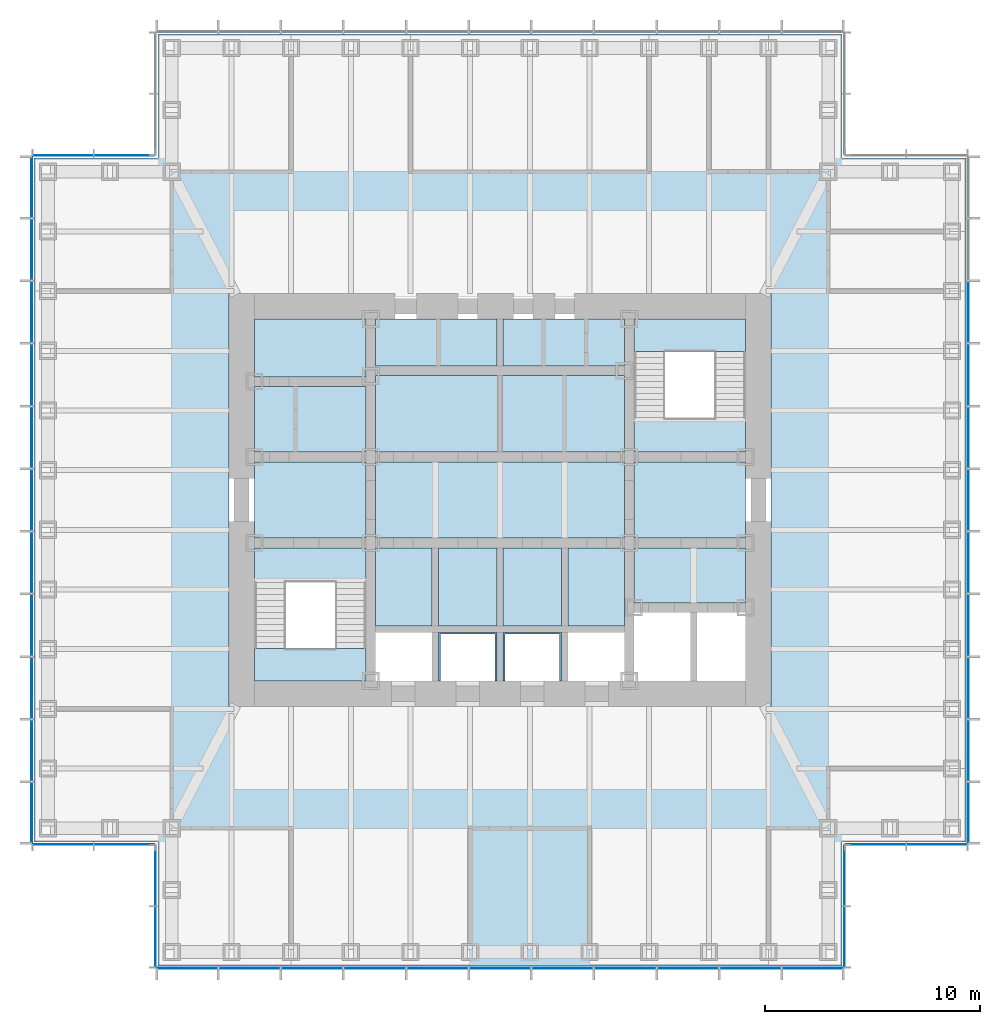
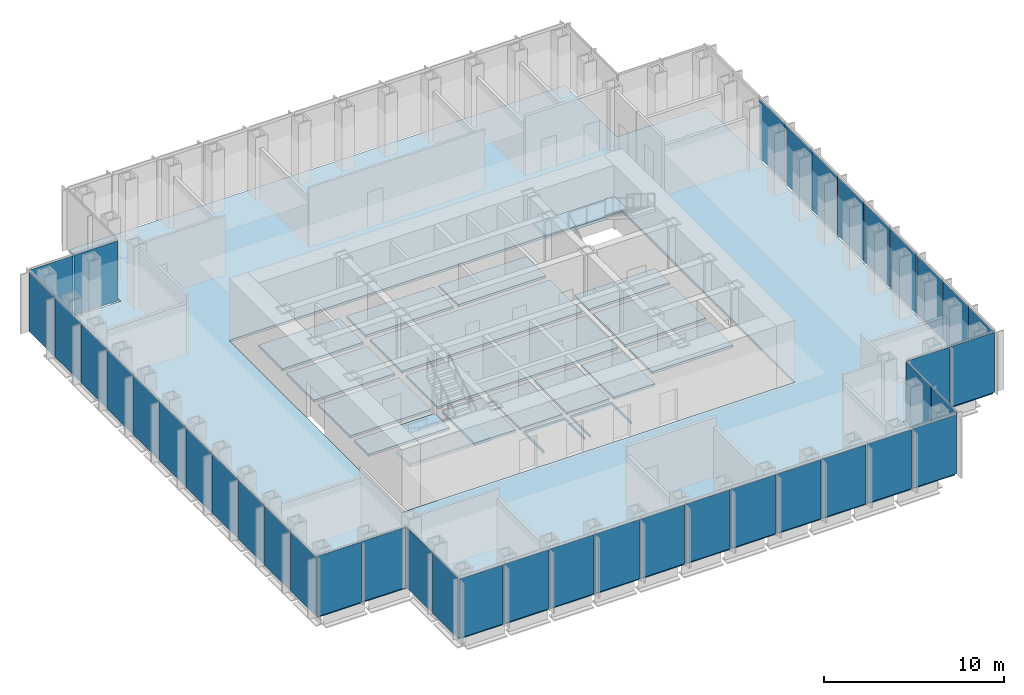
# One storey, part 7 of 16: 41 plates, 20 slabs, 10 elements without a shape of their own.
"""IFC4 building model written with IfcOpenShell, lengths in metres."""

import ifcopenshell
import ifcopenshell.guid

model = None  # the IFC model being written
_history = None  # IfcOwnerHistory: only IFC2X3 demands one
_inside = {}  # id of a spatial element -> (the spatial element, [elements in it])
_under = {}  # id of a project, library or spatial element -> (it, [spatial elements below it])
_declared = {}  # id of a project -> (the project, [libraries it declares])
_typed = {}  # id of a type object -> (the type object, [elements of that type])
_made_of = {}  # id of a material, layer set ... -> (it, [elements and type objects made of it])


def new_model(schema):
    """Start an empty IFC model of exactly this schema.

    Asked for "IFC4X3", IfcOpenShell would pick the latest addendum, in which some entities
    have other attributes; the version numbers below select the first issue.
    IFC2X3 requires an IfcOwnerHistory on every rooted entity: one is made here for all.
    """
    global model, _history
    if schema == "IFC4X3":
        model = ifcopenshell.file(schema_version=(4, 3, 0, 0))
    else:
        model = ifcopenshell.file(schema=schema)
    _inside.clear()
    _under.clear()
    _declared.clear()
    _typed.clear()
    _made_of.clear()
    _history = None
    if model.schema == "IFC2X3":
        org = make("IfcOrganization", Name="unknown")
        user = make(
            "IfcPersonAndOrganization",
            ThePerson=make("IfcPerson", FamilyName="unknown"),
            TheOrganization=org,
        )
        app = make(
            "IfcApplication",
            ApplicationDeveloper=org,
            Version="unknown",
            ApplicationFullName="unknown",
            ApplicationIdentifier="unknown",
        )
        _history = make(
            "IfcOwnerHistory",
            OwningUser=user,
            OwningApplication=app,
            ChangeAction="ADDED",
            CreationDate=0,
        )
    return model


def make(cls, **values):
    """One entity of the class cls with the attributes given. An attribute that is None is left unset."""
    return model.create_entity(
        cls, **{name: value for name, value in values.items() if value is not None}
    )


def rooted(cls, **values):
    """An entity with a GlobalId (a new one), such as an element, a storey or a relation."""
    return make(cls, GlobalId=ifcopenshell.guid.new(), OwnerHistory=_history, **values)


def si_unit(unit_type, name, prefix=None):
    """IfcSIUnit, for example si_unit("LENGTHUNIT", "METRE", prefix="MILLI")."""
    return make("IfcSIUnit", UnitType=unit_type, Prefix=prefix, Name=name)


def assignment(units):
    """IfcUnitAssignment: the units of a project."""
    return None if units is None else make("IfcUnitAssignment", Units=units)


def point(xyz):
    """IfcCartesianPoint."""
    return None if xyz is None else make("IfcCartesianPoint", Coordinates=xyz)


def direction(xyz):
    """IfcDirection."""
    return None if xyz is None else make("IfcDirection", DirectionRatios=xyz)


def frame(location, z_axis=None, x_axis=None):
    """IfcAxis2Placement3D, a coordinate frame: its origin and axes. An axis left out is left unset."""
    return make(
        "IfcAxis2Placement3D",
        Location=point(location),
        Axis=direction(z_axis),
        RefDirection=direction(x_axis),
    )


def frame_2d(location, x_axis=None):
    """IfcAxis2Placement2D, a coordinate frame in the plane: its origin and x axis."""
    return make(
        "IfcAxis2Placement2D", Location=point(location), RefDirection=direction(x_axis)
    )


def origin():
    """The frame at (0, 0, 0) with its axes left unset."""
    return frame((0.0, 0.0, 0.0))


def origin_2d():
    """The frame at (0, 0) in the plane with its x axis left unset."""
    return frame_2d((0.0, 0.0))


def place(relative_to, where):
    """IfcLocalPlacement: puts the frame where relative to a parent placement (None: the world)."""
    return make(
        "IfcLocalPlacement", PlacementRelTo=relative_to, RelativePlacement=where
    )


def context(
    kind, dimensions, precision=None, world=None, true_north=None, identifier=None
):
    """IfcGeometricRepresentationContext, for example the 3D "Model" context."""
    return make(
        "IfcGeometricRepresentationContext",
        ContextIdentifier=identifier,
        ContextType=kind,
        CoordinateSpaceDimension=dimensions,
        Precision=precision,
        WorldCoordinateSystem=world,
        TrueNorth=true_north,
    )


def subcontext(parent, identifier, kind, view, scale=None):
    """IfcGeometricRepresentationSubContext, for example "Body" below "Model"."""
    return make(
        "IfcGeometricRepresentationSubContext",
        ContextIdentifier=identifier,
        ContextType=kind,
        ParentContext=parent,
        TargetScale=scale,
        TargetView=view,
    )


def project(units=None, contexts=None):
    """IfcProject with its units and contexts."""
    return rooted(
        "IfcProject",
        Name="project",
        RepresentationContexts=contexts,
        UnitsInContext=assignment(units),
    )


def spatial(cls, under=None, at=None, **own):
    """A site, building, storey or space (cls), placed at a placement, below another one or the project."""
    s = rooted(cls, ObjectPlacement=at, **own)
    if under is not None:
        _under.setdefault(under.id(), (under, []))[1].append(s)
    return s


def polyline(points):
    """IfcPolyline through the points."""
    return make("IfcPolyline", Points=[point(p) for p in points])


def profile(cls, at=None, kind="AREA", **sizes):
    """A parametric profile (cls). Its sizes go by their IFC names, for example OverallWidth=200.0."""
    return make(cls, ProfileType=kind, Position=at, **sizes)


def rectangle(**sizes):
    """IfcRectangleProfileDef."""
    return profile("IfcRectangleProfileDef", **sizes)


def outline(outer, holes=None, kind="AREA"):
    """IfcArbitraryClosedProfileDef: a profile drawn as a closed curve; with holes, ...WithVoids."""
    if holes is None:
        return make("IfcArbitraryClosedProfileDef", ProfileType=kind, OuterCurve=outer)
    return make(
        "IfcArbitraryProfileDefWithVoids",
        ProfileType=kind,
        OuterCurve=outer,
        InnerCurves=holes,
    )


def extrude(swept, where, along, depth):
    """IfcExtrudedAreaSolid: the profile swept, set in the frame where, extruded along a direction by depth."""
    return make(
        "IfcExtrudedAreaSolid",
        SweptArea=swept,
        Position=where,
        ExtrudedDirection=direction(along),
        Depth=depth,
    )


def shape(context_of_items, identifier, shape_type, items):
    """IfcShapeRepresentation: the items that make up one representation, for example the "Body"."""
    return make(
        "IfcShapeRepresentation",
        ContextOfItems=context_of_items,
        RepresentationIdentifier=identifier,
        RepresentationType=shape_type,
        Items=items,
    )


def material(Name=None, Category=None):
    """IfcMaterial."""
    return make("IfcMaterial", Name=Name, Category=Category)


def layer(
    of_material, thickness, ventilated=None, Name=None, Category=None, Priority=None
):
    """IfcMaterialLayer: one layer of a wall or slab, of a material (None: an air gap)."""
    return make(
        "IfcMaterialLayer",
        Material=of_material,
        LayerThickness=thickness,
        IsVentilated=ventilated,
        Name=Name,
        Category=Category,
        Priority=Priority,
    )


def layer_set(layers, Name=None):
    """IfcMaterialLayerSet."""
    return make("IfcMaterialLayerSet", MaterialLayers=layers, LayerSetName=Name)


def made_of(thing, what):
    """Note that an element or type object is made of a material, layer set ...; save() writes the relation."""
    if what is not None:
        _made_of.setdefault(what.id(), (what, []))[1].append(thing)
    return thing


def type_object(cls, material=None, **own):
    """A type object (cls), such as IfcWallType, which elements share."""
    return made_of(rooted(cls, **own), material)


def element(
    cls,
    number,
    at=None,
    inside=None,
    cuts=None,
    type_object=None,
    material=None,
    context=None,
    identifier="Body",
    shape_type=None,
    held_by="IfcProductDefinitionShape",
    body=None,
    shapes=None,
    **own,
):
    """One element of the class cls, such as IfcWall. Its Tag is "e" and its number.

    at: its placement. inside: the storey or other place that contains it. cuts: it is an
    opening in that element (IfcRelVoidsElement). A single representation is given by context,
    identifier, shape_type and body (its items); several are given by shapes. held_by: the class
    of the entity that holds the representations. save() writes the other relations.
    """
    e = rooted(cls, Tag="e%d" % number, ObjectPlacement=at, **own)
    if body is not None:
        shapes = [shape(context, identifier, shape_type, body)]
    if shapes is not None:
        e.Representation = make(held_by, Representations=shapes)
    if inside is not None:
        _inside.setdefault(inside.id(), (inside, []))[1].append(e)
    if cuts is not None:
        rooted(
            "IfcRelVoidsElement", RelatingBuildingElement=cuts, RelatedOpeningElement=e
        )
    if type_object is not None:
        _typed.setdefault(type_object.id(), (type_object, []))[1].append(e)
    return made_of(e, material)


def aggregate(whole, parts):
    """IfcRelAggregates: a whole, such as a stair, and the parts it consists of."""
    return rooted("IfcRelAggregates", RelatingObject=whole, RelatedObjects=parts)


def save(model, path):
    """Write the relations noted so far, then the file.

    IfcRelAggregates (storeys below a building ...), IfcRelContainedInSpatialStructure (elements
    in a storey), IfcRelDefinesByType, IfcRelAssociatesMaterial and IfcRelDeclares: one each for
    every whole, place, type object, material and project.
    """
    for whole, parts in _under.values():
        aggregate(whole, parts)
    for where, things in _inside.values():
        rooted(
            "IfcRelContainedInSpatialStructure",
            RelatedElements=things,
            RelatingStructure=where,
        )
    for kind, things in _typed.values():
        rooted("IfcRelDefinesByType", RelatedObjects=things, RelatingType=kind)
    for what, things in _made_of.values():
        rooted("IfcRelAssociatesMaterial", RelatedObjects=things, RelatingMaterial=what)
    for by, libraries in _declared.values():
        rooted("IfcRelDeclares", RelatingContext=by, RelatedDefinitions=libraries)
    model.write(path)


model = new_model("IFC4")

# Units and contexts
model_context = context("Model", 3, precision=1e-05, world=origin(), true_north=direction((0.0, 1.0)))
body_context = subcontext(model_context, "Body", "Model", "MODEL_VIEW")
ifc_project = project(units=[si_unit("LENGTHUNIT", "METRE"), si_unit("AREAUNIT", "SQUARE_METRE"), si_unit("VOLUMEUNIT", "CUBIC_METRE"), si_unit("PLANEANGLEUNIT", "RADIAN"), si_unit("MASSUNIT", "GRAM", prefix="KILO")], contexts=[model_context])

# Site, building, storey
site_placement = place(None, origin())
site = spatial("IfcSite", under=ifc_project, at=site_placement, CompositionType="ELEMENT")
building_placement = place(site_placement, origin())
building = spatial("IfcBuilding", under=site, at=building_placement, Name="Daluyong Arena Tower", CompositionType="ELEMENT")
storey_placement = place(building_placement, frame((0.0, 0.0, 254.5)))
storey = spatial("IfcBuildingStorey", under=building, at=storey_placement, Name="L57", CompositionType="ELEMENT", Elevation=254.5)

# Curtain wall, plates
ifc_material_1 = material(Name="Bronze anodised aluminium and glass", Category="aluminium")
curtain_wall_type_1 = type_object("IfcCurtainWallType", Name="Curtain wall CW4", PredefinedType="USERDEFINED", material=ifc_material_1)
curtain_wall_1_placement = place(storey_placement, origin())
curtain_wall_1 = element("IfcCurtainWall", 1, at=curtain_wall_1_placement, inside=storey, type_object=curtain_wall_type_1, Name="curtain wall L57 S", ObjectType="UNITISED CURTAIN WALL", PredefinedType="USERDEFINED")
ifc_material_2 = material(Name="Tinted laminated double glazed unit", Category="glass")
ifc_layer_1 = layer(ifc_material_2, 0.035888671875)
ifc_layer_set_1 = layer_set([ifc_layer_1], Name="Tinted laminated double glazed unit")
plate_type_1 = type_object("IfcPlateType", Name="CW4 panel 36", PredefinedType="CURTAIN_PANEL", material=ifc_layer_set_1)
plate_1_placement = place(storey_placement, frame((41.47705078125, 58.25, 0.0), z_axis=(0.0, 0.0, 1.0), x_axis=(1.0, 0.0, 0.0)))
plate_1 = element("IfcPlate", 2, at=plate_1_placement, type_object=plate_type_1, Name="curtain wall L57 S panel 1", PredefinedType="CURTAIN_PANEL", context=body_context, shape_type="SweptSolid", body=[
    extrude(rectangle(XDim=2.774169921875, YDim=0.035888671875, at=origin_2d()), origin(), (0.0, 0.0, 1.0), 4.0),
])
plate_2_placement = place(storey_placement, frame((44.363525390625, 58.25, 0.0), z_axis=(0.0, 0.0, 1.0), x_axis=(1.0, 0.0, 0.0)))
plate_2 = element("IfcPlate", 3, at=plate_2_placement, type_object=plate_type_1, Name="curtain wall L57 S panel 2", PredefinedType="CURTAIN_PANEL", context=body_context, shape_type="SweptSolid", body=[
    extrude(rectangle(XDim=2.819091796875, YDim=0.035888671875, at=origin_2d()), origin(), (0.0, 0.0, 1.0), 4.0),
])
plate_3_placement = place(storey_placement, frame((47.272705078125, 58.25, 0.0), z_axis=(0.0, 0.0, 1.0), x_axis=(1.0, 0.0, 0.0)))
plate_3 = element("IfcPlate", 4, at=plate_3_placement, type_object=plate_type_1, Name="curtain wall L57 S panel 3", PredefinedType="CURTAIN_PANEL", context=body_context, shape_type="SweptSolid", body=[
    extrude(rectangle(XDim=2.819091796875, YDim=0.035888671875, at=origin_2d()), origin(), (0.0, 0.0, 1.0), 4.0),
])
plate_4_placement = place(storey_placement, frame((50.181884765625, 58.25, 0.0), z_axis=(0.0, 0.0, 1.0), x_axis=(1.0, 0.0, 0.0)))
plate_4 = element("IfcPlate", 5, at=plate_4_placement, type_object=plate_type_1, Name="curtain wall L57 S panel 4", PredefinedType="CURTAIN_PANEL", context=body_context, shape_type="SweptSolid", body=[
    extrude(rectangle(XDim=2.819091796875, YDim=0.035888671875, at=origin_2d()), origin(), (0.0, 0.0, 1.0), 4.0),
])
plate_5_placement = place(storey_placement, frame((53.0908203125, 58.25, 0.0), z_axis=(0.0, 0.0, 1.0), x_axis=(1.0, 0.0, 0.0)))
plate_5 = element("IfcPlate", 6, at=plate_5_placement, type_object=plate_type_1, Name="curtain wall L57 S panel 5", PredefinedType="CURTAIN_PANEL", context=body_context, shape_type="SweptSolid", body=[
    extrude(rectangle(XDim=2.819091796875, YDim=0.035888671875, at=origin_2d()), origin(), (0.0, 0.0, 1.0), 4.0),
])
plate_6_placement = place(storey_placement, frame((56.0, 58.25, 0.0), z_axis=(0.0, 0.0, 1.0), x_axis=(1.0, 0.0, 0.0)))
plate_6 = element("IfcPlate", 7, at=plate_6_placement, type_object=plate_type_1, Name="curtain wall L57 S panel 6", PredefinedType="CURTAIN_PANEL", context=body_context, shape_type="SweptSolid", body=[
    extrude(rectangle(XDim=2.819091796875, YDim=0.035888671875, at=origin_2d()), origin(), (0.0, 0.0, 1.0), 4.0),
])
plate_7_placement = place(storey_placement, frame((58.9091796875, 58.25, 0.0), z_axis=(0.0, 0.0, 1.0), x_axis=(1.0, 0.0, 0.0)))
plate_7 = element("IfcPlate", 8, at=plate_7_placement, type_object=plate_type_1, Name="curtain wall L57 S panel 7", PredefinedType="CURTAIN_PANEL", context=body_context, shape_type="SweptSolid", body=[
    extrude(rectangle(XDim=2.819091796875, YDim=0.035888671875, at=origin_2d()), origin(), (0.0, 0.0, 1.0), 4.0),
])
plate_8_placement = place(storey_placement, frame((61.818115234375, 58.25, 0.0), z_axis=(0.0, 0.0, 1.0), x_axis=(1.0, 0.0, 0.0)))
plate_8 = element("IfcPlate", 9, at=plate_8_placement, type_object=plate_type_1, Name="curtain wall L57 S panel 8", PredefinedType="CURTAIN_PANEL", context=body_context, shape_type="SweptSolid", body=[
    extrude(rectangle(XDim=2.819091796875, YDim=0.035888671875, at=origin_2d()), origin(), (0.0, 0.0, 1.0), 4.0),
])
plate_9_placement = place(storey_placement, frame((64.727294921875, 58.25, 0.0), z_axis=(0.0, 0.0, 1.0), x_axis=(1.0, 0.0, 0.0)))
plate_9 = element("IfcPlate", 10, at=plate_9_placement, type_object=plate_type_1, Name="curtain wall L57 S panel 9", PredefinedType="CURTAIN_PANEL", context=body_context, shape_type="SweptSolid", body=[
    extrude(rectangle(XDim=2.819091796875, YDim=0.035888671875, at=origin_2d()), origin(), (0.0, 0.0, 1.0), 4.0),
])
plate_10_placement = place(storey_placement, frame((67.636474609375, 58.25, 0.0), z_axis=(0.0, 0.0, 1.0), x_axis=(1.0, 0.0, 0.0)))
plate_10 = element("IfcPlate", 11, at=plate_10_placement, type_object=plate_type_1, Name="curtain wall L57 S panel 10", PredefinedType="CURTAIN_PANEL", context=body_context, shape_type="SweptSolid", body=[
    extrude(rectangle(XDim=2.819091796875, YDim=0.035888671875, at=origin_2d()), origin(), (0.0, 0.0, 1.0), 4.0),
])
plate_11_placement = place(storey_placement, frame((70.52294921875, 58.25, 0.0), z_axis=(0.0, 0.0, 1.0), x_axis=(1.0, 0.0, 0.0)))
plate_11 = element("IfcPlate", 12, at=plate_11_placement, type_object=plate_type_1, Name="curtain wall L57 S panel 11", PredefinedType="CURTAIN_PANEL", context=body_context, shape_type="SweptSolid", body=[
    extrude(rectangle(XDim=2.774169921875, YDim=0.035888671875, at=origin_2d()), origin(), (0.0, 0.0, 1.0), 4.0),
])
aggregate(curtain_wall_1, [plate_1, plate_2, plate_3, plate_4, plate_5, plate_6, plate_7, plate_8, plate_9, plate_10, plate_11])

curtain_wall_2_placement = place(storey_placement, origin())
curtain_wall_2 = element("IfcCurtainWall", 13, at=curtain_wall_2_placement, inside=storey, type_object=curtain_wall_type_1, Name="curtain wall L57 E", ObjectType="UNITISED CURTAIN WALL", PredefinedType="USERDEFINED")
plate_12_placement = place(storey_placement, frame((77.75, 65.47705078125, 0.0), z_axis=(0.0, 0.0, 1.0), x_axis=(0.0, 1.0, 0.0)))
plate_12 = element("IfcPlate", 14, at=plate_12_placement, type_object=plate_type_1, Name="curtain wall L57 E panel 1", PredefinedType="CURTAIN_PANEL", context=body_context, shape_type="SweptSolid", body=[
    extrude(rectangle(XDim=2.774169921875, YDim=0.035888671875, at=origin_2d()), origin(), (0.0, 0.0, 1.0), 4.0),
])
plate_13_placement = place(storey_placement, frame((77.75, 68.363525390625, 0.0), z_axis=(0.0, 0.0, 1.0), x_axis=(0.0, 1.0, 0.0)))
plate_13 = element("IfcPlate", 15, at=plate_13_placement, type_object=plate_type_1, Name="curtain wall L57 E panel 2", PredefinedType="CURTAIN_PANEL", context=body_context, shape_type="SweptSolid", body=[
    extrude(rectangle(XDim=2.819091796875, YDim=0.035888671875, at=origin_2d()), origin(), (0.0, 0.0, 1.0), 4.0),
])
plate_14_placement = place(storey_placement, frame((77.75, 71.272705078125, 0.0), z_axis=(0.0, 0.0, 1.0), x_axis=(0.0, 1.0, 0.0)))
plate_14 = element("IfcPlate", 16, at=plate_14_placement, type_object=plate_type_1, Name="curtain wall L57 E panel 3", PredefinedType="CURTAIN_PANEL", context=body_context, shape_type="SweptSolid", body=[
    extrude(rectangle(XDim=2.819091796875, YDim=0.035888671875, at=origin_2d()), origin(), (0.0, 0.0, 1.0), 4.0),
])
plate_15_placement = place(storey_placement, frame((77.75, 74.181884765625, 0.0), z_axis=(0.0, 0.0, 1.0), x_axis=(0.0, 1.0, 0.0)))
plate_15 = element("IfcPlate", 17, at=plate_15_placement, type_object=plate_type_1, Name="curtain wall L57 E panel 4", PredefinedType="CURTAIN_PANEL", context=body_context, shape_type="SweptSolid", body=[
    extrude(rectangle(XDim=2.819091796875, YDim=0.035888671875, at=origin_2d()), origin(), (0.0, 0.0, 1.0), 4.0),
])
plate_16_placement = place(storey_placement, frame((77.75, 77.0908203125, 0.0), z_axis=(0.0, 0.0, 1.0), x_axis=(0.0, 1.0, 0.0)))
plate_16 = element("IfcPlate", 18, at=plate_16_placement, type_object=plate_type_1, Name="curtain wall L57 E panel 5", PredefinedType="CURTAIN_PANEL", context=body_context, shape_type="SweptSolid", body=[
    extrude(rectangle(XDim=2.819091796875, YDim=0.035888671875, at=origin_2d()), origin(), (0.0, 0.0, 1.0), 4.0),
])
plate_17_placement = place(storey_placement, frame((77.75, 80.0, 0.0), z_axis=(0.0, 0.0, 1.0), x_axis=(0.0, 1.0, 0.0)))
plate_17 = element("IfcPlate", 19, at=plate_17_placement, type_object=plate_type_1, Name="curtain wall L57 E panel 6", PredefinedType="CURTAIN_PANEL", context=body_context, shape_type="SweptSolid", body=[
    extrude(rectangle(XDim=2.819091796875, YDim=0.035888671875, at=origin_2d()), origin(), (0.0, 0.0, 1.0), 4.0),
])
plate_18_placement = place(storey_placement, frame((77.75, 82.9091796875, 0.0), z_axis=(0.0, 0.0, 1.0), x_axis=(0.0, 1.0, 0.0)))
plate_18 = element("IfcPlate", 20, at=plate_18_placement, type_object=plate_type_1, Name="curtain wall L57 E panel 7", PredefinedType="CURTAIN_PANEL", context=body_context, shape_type="SweptSolid", body=[
    extrude(rectangle(XDim=2.819091796875, YDim=0.035888671875, at=origin_2d()), origin(), (0.0, 0.0, 1.0), 4.0),
])
plate_19_placement = place(storey_placement, frame((77.75, 85.818115234375, 0.0), z_axis=(0.0, 0.0, 1.0), x_axis=(0.0, 1.0, 0.0)))
plate_19 = element("IfcPlate", 21, at=plate_19_placement, type_object=plate_type_1, Name="curtain wall L57 E panel 8", PredefinedType="CURTAIN_PANEL", context=body_context, shape_type="SweptSolid", body=[
    extrude(rectangle(XDim=2.819091796875, YDim=0.035888671875, at=origin_2d()), origin(), (0.0, 0.0, 1.0), 4.0),
])
plate_20_placement = place(storey_placement, frame((77.75, 88.727294921875, 0.0), z_axis=(0.0, 0.0, 1.0), x_axis=(0.0, 1.0, 0.0)))
plate_20 = element("IfcPlate", 22, at=plate_20_placement, type_object=plate_type_1, Name="curtain wall L57 E panel 9", PredefinedType="CURTAIN_PANEL", context=body_context, shape_type="SweptSolid", body=[
    extrude(rectangle(XDim=2.819091796875, YDim=0.035888671875, at=origin_2d()), origin(), (0.0, 0.0, 1.0), 4.0),
])
aggregate(curtain_wall_2, [plate_12, plate_13, plate_14, plate_15, plate_16, plate_17, plate_18, plate_19, plate_20])

curtain_wall_3_placement = place(storey_placement, origin())
curtain_wall_3 = element("IfcCurtainWall", 23, at=curtain_wall_3_placement, inside=storey, type_object=curtain_wall_type_1, Name="curtain wall L57 W", ObjectType="UNITISED CURTAIN WALL", PredefinedType="USERDEFINED")
plate_21_placement = place(storey_placement, frame((34.25, 94.52294921875, 0.0), z_axis=(0.0, 0.0, 1.0), x_axis=(0.0, -1.0, 0.0)))
plate_21 = element("IfcPlate", 24, at=plate_21_placement, type_object=plate_type_1, Name="curtain wall L57 W panel 1", PredefinedType="CURTAIN_PANEL", context=body_context, shape_type="SweptSolid", body=[
    extrude(rectangle(XDim=2.774169921875, YDim=0.035888671875, at=origin_2d()), origin(), (0.0, 0.0, 1.0), 4.0),
])
plate_22_placement = place(storey_placement, frame((34.25, 91.636474609375, 0.0), z_axis=(0.0, 0.0, 1.0), x_axis=(0.0, -1.0, 0.0)))
plate_22 = element("IfcPlate", 25, at=plate_22_placement, type_object=plate_type_1, Name="curtain wall L57 W panel 2", PredefinedType="CURTAIN_PANEL", context=body_context, shape_type="SweptSolid", body=[
    extrude(rectangle(XDim=2.819091796875, YDim=0.035888671875, at=origin_2d()), origin(), (0.0, 0.0, 1.0), 4.0),
])
plate_23_placement = place(storey_placement, frame((34.25, 88.727294921875, 0.0), z_axis=(0.0, 0.0, 1.0), x_axis=(0.0, -1.0, 0.0)))
plate_23 = element("IfcPlate", 26, at=plate_23_placement, type_object=plate_type_1, Name="curtain wall L57 W panel 3", PredefinedType="CURTAIN_PANEL", context=body_context, shape_type="SweptSolid", body=[
    extrude(rectangle(XDim=2.819091796875, YDim=0.035888671875, at=origin_2d()), origin(), (0.0, 0.0, 1.0), 4.0),
])
plate_24_placement = place(storey_placement, frame((34.25, 85.818115234375, 0.0), z_axis=(0.0, 0.0, 1.0), x_axis=(0.0, -1.0, 0.0)))
plate_24 = element("IfcPlate", 27, at=plate_24_placement, type_object=plate_type_1, Name="curtain wall L57 W panel 4", PredefinedType="CURTAIN_PANEL", context=body_context, shape_type="SweptSolid", body=[
    extrude(rectangle(XDim=2.819091796875, YDim=0.035888671875, at=origin_2d()), origin(), (0.0, 0.0, 1.0), 4.0),
])
plate_25_placement = place(storey_placement, frame((34.25, 82.9091796875, 0.0), z_axis=(0.0, 0.0, 1.0), x_axis=(0.0, -1.0, 0.0)))
plate_25 = element("IfcPlate", 28, at=plate_25_placement, type_object=plate_type_1, Name="curtain wall L57 W panel 5", PredefinedType="CURTAIN_PANEL", context=body_context, shape_type="SweptSolid", body=[
    extrude(rectangle(XDim=2.819091796875, YDim=0.035888671875, at=origin_2d()), origin(), (0.0, 0.0, 1.0), 4.0),
])
plate_26_placement = place(storey_placement, frame((34.25, 80.0, 0.0), z_axis=(0.0, 0.0, 1.0), x_axis=(0.0, -1.0, 0.0)))
plate_26 = element("IfcPlate", 29, at=plate_26_placement, type_object=plate_type_1, Name="curtain wall L57 W panel 6", PredefinedType="CURTAIN_PANEL", context=body_context, shape_type="SweptSolid", body=[
    extrude(rectangle(XDim=2.819091796875, YDim=0.035888671875, at=origin_2d()), origin(), (0.0, 0.0, 1.0), 4.0),
])
plate_27_placement = place(storey_placement, frame((34.25, 77.0908203125, 0.0), z_axis=(0.0, 0.0, 1.0), x_axis=(0.0, -1.0, 0.0)))
plate_27 = element("IfcPlate", 30, at=plate_27_placement, type_object=plate_type_1, Name="curtain wall L57 W panel 7", PredefinedType="CURTAIN_PANEL", context=body_context, shape_type="SweptSolid", body=[
    extrude(rectangle(XDim=2.819091796875, YDim=0.035888671875, at=origin_2d()), origin(), (0.0, 0.0, 1.0), 4.0),
])
plate_28_placement = place(storey_placement, frame((34.25, 74.181884765625, 0.0), z_axis=(0.0, 0.0, 1.0), x_axis=(0.0, -1.0, 0.0)))
plate_28 = element("IfcPlate", 31, at=plate_28_placement, type_object=plate_type_1, Name="curtain wall L57 W panel 8", PredefinedType="CURTAIN_PANEL", context=body_context, shape_type="SweptSolid", body=[
    extrude(rectangle(XDim=2.819091796875, YDim=0.035888671875, at=origin_2d()), origin(), (0.0, 0.0, 1.0), 4.0),
])
plate_29_placement = place(storey_placement, frame((34.25, 71.272705078125, 0.0), z_axis=(0.0, 0.0, 1.0), x_axis=(0.0, -1.0, 0.0)))
plate_29 = element("IfcPlate", 32, at=plate_29_placement, type_object=plate_type_1, Name="curtain wall L57 W panel 9", PredefinedType="CURTAIN_PANEL", context=body_context, shape_type="SweptSolid", body=[
    extrude(rectangle(XDim=2.819091796875, YDim=0.035888671875, at=origin_2d()), origin(), (0.0, 0.0, 1.0), 4.0),
])
plate_30_placement = place(storey_placement, frame((34.25, 68.363525390625, 0.0), z_axis=(0.0, 0.0, 1.0), x_axis=(0.0, -1.0, 0.0)))
plate_30 = element("IfcPlate", 33, at=plate_30_placement, type_object=plate_type_1, Name="curtain wall L57 W panel 10", PredefinedType="CURTAIN_PANEL", context=body_context, shape_type="SweptSolid", body=[
    extrude(rectangle(XDim=2.819091796875, YDim=0.035888671875, at=origin_2d()), origin(), (0.0, 0.0, 1.0), 4.0),
])
plate_31_placement = place(storey_placement, frame((34.25, 65.47705078125, 0.0), z_axis=(0.0, 0.0, 1.0), x_axis=(0.0, -1.0, 0.0)))
plate_31 = element("IfcPlate", 34, at=plate_31_placement, type_object=plate_type_1, Name="curtain wall L57 W panel 11", PredefinedType="CURTAIN_PANEL", context=body_context, shape_type="SweptSolid", body=[
    extrude(rectangle(XDim=2.774169921875, YDim=0.035888671875, at=origin_2d()), origin(), (0.0, 0.0, 1.0), 4.0),
])
aggregate(curtain_wall_3, [plate_21, plate_22, plate_23, plate_24, plate_25, plate_26, plate_27, plate_28, plate_29, plate_30, plate_31])

ifc_material_3 = material(Name="Bronze anodised aluminium and glass", Category="aluminium")
curtain_wall_type_2 = type_object("IfcCurtainWallType", Name="Curtain wall CW7", PredefinedType="USERDEFINED", material=ifc_material_3)
curtain_wall_4_placement = place(storey_placement, origin())
curtain_wall_4 = element("IfcCurtainWall", 35, at=curtain_wall_4_placement, inside=storey, type_object=curtain_wall_type_2, Name="curtain wall L57 SE-E", ObjectType="UNITISED CURTAIN WALL", PredefinedType="USERDEFINED")
ifc_material_4 = material(Name="Tinted double glazed unit", Category="glass")
ifc_layer_2 = layer(ifc_material_4, 0.028076171875)
ifc_layer_set_2 = layer_set([ifc_layer_2], Name="Tinted double glazed unit")
plate_type_2 = type_object("IfcPlateType", Name="CW7 panel 28", PredefinedType="CURTAIN_PANEL", material=ifc_layer_set_2)
plate_32_placement = place(storey_placement, frame((72.0, 59.702392578125, 0.0), z_axis=(0.0, 0.0, 1.0), x_axis=(0.0, 1.0, 0.0)))
plate_32 = element("IfcPlate", 36, at=plate_32_placement, type_object=plate_type_2, Name="curtain wall L57 SE-E panel 1", PredefinedType="CURTAIN_PANEL", context=body_context, shape_type="SweptSolid", body=[
    extrude(rectangle(XDim=2.784912109375, YDim=0.028076171875, at=origin_2d()), origin(), (0.0, 0.0, 1.0), 4.080078125),
])
plate_33_placement = place(storey_placement, frame((72.0, 62.547607421875, 0.0), z_axis=(0.0, 0.0, 1.0), x_axis=(0.0, 1.0, 0.0)))
plate_33 = element("IfcPlate", 37, at=plate_33_placement, type_object=plate_type_2, Name="curtain wall L57 SE-E panel 2", PredefinedType="CURTAIN_PANEL", context=body_context, shape_type="SweptSolid", body=[
    extrude(rectangle(XDim=2.784912109375, YDim=0.028076171875, at=origin_2d()), origin(), (0.0, 0.0, 1.0), 4.080078125),
])
aggregate(curtain_wall_4, [plate_32, plate_33])

curtain_wall_5_placement = place(storey_placement, origin())
curtain_wall_5 = element("IfcCurtainWall", 38, at=curtain_wall_5_placement, inside=storey, type_object=curtain_wall_type_2, Name="curtain wall L57 SE-S", ObjectType="UNITISED CURTAIN WALL", PredefinedType="USERDEFINED")
plate_34_placement = place(storey_placement, frame((73.452392578125, 64.0, 0.0), z_axis=(0.0, 0.0, 1.0), x_axis=(1.0, 0.0, 0.0)))
plate_34 = element("IfcPlate", 39, at=plate_34_placement, type_object=plate_type_2, Name="curtain wall L57 SE-S panel 1", PredefinedType="CURTAIN_PANEL", context=body_context, shape_type="SweptSolid", body=[
    extrude(rectangle(XDim=2.784912109375, YDim=0.028076171875, at=origin_2d()), origin(), (0.0, 0.0, 1.0), 4.080078125),
])
plate_35_placement = place(storey_placement, frame((76.297607421875, 64.0, 0.0), z_axis=(0.0, 0.0, 1.0), x_axis=(1.0, 0.0, 0.0)))
plate_35 = element("IfcPlate", 40, at=plate_35_placement, type_object=plate_type_2, Name="curtain wall L57 SE-S panel 2", PredefinedType="CURTAIN_PANEL", context=body_context, shape_type="SweptSolid", body=[
    extrude(rectangle(XDim=2.784912109375, YDim=0.028076171875, at=origin_2d()), origin(), (0.0, 0.0, 1.0), 4.080078125),
])
aggregate(curtain_wall_5, [plate_34, plate_35])

curtain_wall_6_placement = place(storey_placement, origin())
curtain_wall_6 = element("IfcCurtainWall", 41, at=curtain_wall_6_placement, inside=storey, type_object=curtain_wall_type_2, Name="curtain wall L57 NW-N", ObjectType="UNITISED CURTAIN WALL", PredefinedType="USERDEFINED")
plate_36_placement = place(storey_placement, frame((38.547607421875, 96.0, 0.0), z_axis=(0.0, 0.0, 1.0), x_axis=(-1.0, 0.0, 0.0)))
plate_36 = element("IfcPlate", 42, at=plate_36_placement, type_object=plate_type_2, Name="curtain wall L57 NW-N panel 1", PredefinedType="CURTAIN_PANEL", context=body_context, shape_type="SweptSolid", body=[
    extrude(rectangle(XDim=2.784912109375, YDim=0.028076171875, at=origin_2d()), origin(), (0.0, 0.0, 1.0), 4.080078125),
])
plate_37_placement = place(storey_placement, frame((35.702392578125, 96.0, 0.0), z_axis=(0.0, 0.0, 1.0), x_axis=(-1.0, 0.0, 0.0)))
plate_37 = element("IfcPlate", 43, at=plate_37_placement, type_object=plate_type_2, Name="curtain wall L57 NW-N panel 2", PredefinedType="CURTAIN_PANEL", context=body_context, shape_type="SweptSolid", body=[
    extrude(rectangle(XDim=2.784912109375, YDim=0.028076171875, at=origin_2d()), origin(), (0.0, 0.0, 1.0), 4.080078125),
])
aggregate(curtain_wall_6, [plate_36, plate_37])

curtain_wall_7_placement = place(storey_placement, origin())
curtain_wall_7 = element("IfcCurtainWall", 44, at=curtain_wall_7_placement, inside=storey, type_object=curtain_wall_type_2, Name="curtain wall L57 SW-S", ObjectType="UNITISED CURTAIN WALL", PredefinedType="USERDEFINED")
plate_38_placement = place(storey_placement, frame((35.702392578125, 64.0, 0.0), z_axis=(0.0, 0.0, 1.0), x_axis=(1.0, 0.0, 0.0)))
plate_38 = element("IfcPlate", 45, at=plate_38_placement, type_object=plate_type_2, Name="curtain wall L57 SW-S panel 1", PredefinedType="CURTAIN_PANEL", context=body_context, shape_type="SweptSolid", body=[
    extrude(rectangle(XDim=2.784912109375, YDim=0.028076171875, at=origin_2d()), origin(), (0.0, 0.0, 1.0), 4.080078125),
])
plate_39_placement = place(storey_placement, frame((38.547607421875, 64.0, 0.0), z_axis=(0.0, 0.0, 1.0), x_axis=(1.0, 0.0, 0.0)))
plate_39 = element("IfcPlate", 46, at=plate_39_placement, type_object=plate_type_2, Name="curtain wall L57 SW-S panel 2", PredefinedType="CURTAIN_PANEL", context=body_context, shape_type="SweptSolid", body=[
    extrude(rectangle(XDim=2.784912109375, YDim=0.028076171875, at=origin_2d()), origin(), (0.0, 0.0, 1.0), 4.080078125),
])
aggregate(curtain_wall_7, [plate_38, plate_39])

curtain_wall_8_placement = place(storey_placement, origin())
curtain_wall_8 = element("IfcCurtainWall", 47, at=curtain_wall_8_placement, inside=storey, type_object=curtain_wall_type_2, Name="curtain wall L57 SW-W", ObjectType="UNITISED CURTAIN WALL", PredefinedType="USERDEFINED")
plate_40_placement = place(storey_placement, frame((40.0, 62.547607421875, 0.0), z_axis=(0.0, 0.0, 1.0), x_axis=(0.0, -1.0, 0.0)))
plate_40 = element("IfcPlate", 48, at=plate_40_placement, type_object=plate_type_2, Name="curtain wall L57 SW-W panel 1", PredefinedType="CURTAIN_PANEL", context=body_context, shape_type="SweptSolid", body=[
    extrude(rectangle(XDim=2.784912109375, YDim=0.028076171875, at=origin_2d()), origin(), (0.0, 0.0, 1.0), 4.080078125),
])
plate_41_placement = place(storey_placement, frame((40.0, 59.702392578125, 0.0), z_axis=(0.0, 0.0, 1.0), x_axis=(0.0, -1.0, 0.0)))
plate_41 = element("IfcPlate", 49, at=plate_41_placement, type_object=plate_type_2, Name="curtain wall L57 SW-W panel 2", PredefinedType="CURTAIN_PANEL", context=body_context, shape_type="SweptSolid", body=[
    extrude(rectangle(XDim=2.784912109375, YDim=0.028076171875, at=origin_2d()), origin(), (0.0, 0.0, 1.0), 4.080078125),
])
aggregate(curtain_wall_8, [plate_40, plate_41])

# Stair, slab
ifc_material_5 = material(Name="Concrete fc' 35 MPa", Category="concrete")
stair_type = type_object("IfcStairType", Name="Core exit stair", PredefinedType="HALF_TURN_STAIR", material=ifc_material_5)
stair_1_placement = place(storey_placement, origin())
stair_1 = element("IfcStair", 50, at=stair_1_placement, inside=storey, type_object=stair_type, Name="exit stair A L57", PredefinedType="HALF_TURN_STAIR")
ifc_material_6 = material(Name="Concrete fc' 35 MPa", Category="concrete")
ifc_layer_3 = layer(ifc_material_6, 0.199951171875)
ifc_layer_set_3 = layer_set([ifc_layer_3], Name="Concrete fc' 35 MPa")
slab_type_1 = type_object("IfcSlabType", Name="Stair landing 200", PredefinedType="LANDING", material=ifc_layer_set_3)
slab_1_placement = place(storey_placement, frame((0.0, 0.0, 1.89990234375)))
slab_1 = element("IfcSlab", 51, at=slab_1_placement, type_object=slab_type_1, Name="STA landing 1", PredefinedType="LANDING", context=body_context, shape_type="SweptSolid", body=[
    extrude(outline(polyline([(44.60009765625, 71.60009765625), (49.77490234375, 71.60009765625), (49.77490234375, 73.094970703125), (44.60009765625, 73.094970703125), (44.60009765625, 71.60009765625)])), origin(), (0.0, 0.0, 1.0), 0.2001953125),
])
aggregate(stair_1, [slab_1])

stair_2_placement = place(storey_placement, origin())
stair_2 = element("IfcStair", 52, at=stair_2_placement, inside=storey, type_object=stair_type, Name="exit stair B L57", PredefinedType="HALF_TURN_STAIR")
slab_2_placement = place(storey_placement, frame((0.0, 0.0, 1.89990234375)))
slab_2 = element("IfcSlab", 53, at=slab_2_placement, type_object=slab_type_1, Name="STB landing 1", PredefinedType="LANDING", context=body_context, shape_type="SweptSolid", body=[
    extrude(outline(polyline([(62.22509765625, 86.905029296875), (67.39990234375, 86.905029296875), (67.39990234375, 88.39990234375), (62.22509765625, 88.39990234375), (62.22509765625, 86.905029296875)])), origin(), (0.0, 0.0, 1.0), 0.2001953125),
])
aggregate(stair_2, [slab_2])

# Slabs
ifc_material_7 = material(Name="Concrete fc' 35 MPa", Category="concrete")
ifc_layer_4 = layer(ifc_material_7, 0.159912109375)
ifc_layer_set_4 = layer_set([ifc_layer_4], Name="Concrete fc' 35 MPa")
slab_type_2 = type_object("IfcSlabType", Name="Tower floor slab 160", PredefinedType="FLOOR", material=ifc_layer_set_4)
slab_3_placement = place(storey_placement, frame((0.0, 0.0, -0.159912109375)))
element("IfcSlab", 54, at=slab_3_placement, inside=storey, type_object=slab_type_2, Name="floor L57 part 1", PredefinedType="FLOOR", context=body_context, shape_type="SweptSolid", body=[
    extrude(outline(polyline([(49.77490234375, 77.77490234375), (44.60009765625, 77.77490234375), (44.60009765625, 76.175048828125), (49.77490234375, 76.175048828125), (49.77490234375, 77.77490234375)])), origin(), (0.0, 0.0, 1.0), 0.159912109375),
])
slab_4_placement = place(storey_placement, frame((0.0, 0.0, -0.159912109375)))
element("IfcSlab", 55, at=slab_4_placement, inside=storey, type_object=slab_type_2, Name="floor L57 part 2", PredefinedType="FLOOR", context=body_context, shape_type="SweptSolid", body=[
    extrude(outline(polyline([(49.77490234375, 78.22509765625), (49.77490234375, 81.77490234375), (44.60009765625, 81.77490234375), (44.60009765625, 78.22509765625), (49.77490234375, 78.22509765625)])), origin(), (0.0, 0.0, 1.0), 0.159912109375),
])
slab_5_placement = place(storey_placement, frame((0.0, 0.0, -0.159912109375)))
element("IfcSlab", 56, at=slab_5_placement, inside=storey, type_object=slab_type_2, Name="floor L57 part 3", PredefinedType="FLOOR", context=body_context, shape_type="SweptSolid", body=[
    extrude(outline(polyline([(44.60009765625, 85.27490234375), (44.60009765625, 82.22509765625), (49.77490234375, 82.22509765625), (49.77490234375, 85.27490234375), (44.60009765625, 85.27490234375)])), origin(), (0.0, 0.0, 1.0), 0.159912109375),
])
slab_6_placement = place(storey_placement, frame((0.0, 0.0, -0.159912109375)))
element("IfcSlab", 57, at=slab_6_placement, inside=storey, type_object=slab_type_2, Name="floor L57 part 4", PredefinedType="FLOOR", context=body_context, shape_type="SweptSolid", body=[
    extrude(outline(polyline([(44.60009765625, 88.39990234375), (44.60009765625, 85.72509765625), (49.77490234375, 85.72509765625), (49.77490234375, 88.39990234375), (44.60009765625, 88.39990234375)])), origin(), (0.0, 0.0, 1.0), 0.159912109375),
])
slab_7_placement = place(storey_placement, frame((0.0, 0.0, -0.159912109375)))
element("IfcSlab", 58, at=slab_7_placement, inside=storey, type_object=slab_type_2, Name="floor L57 part 5", PredefinedType="FLOOR", context=body_context, shape_type="SweptSolid", body=[
    extrude(outline(polyline([(52.85009765625, 74.14990234375), (52.85009765625, 77.77490234375), (50.22509765625, 77.77490234375), (50.22509765625, 74.14990234375), (52.85009765625, 74.14990234375)])), origin(), (0.0, 0.0, 1.0), 0.159912109375),
])
slab_8_placement = place(storey_placement, frame((0.0, 0.0, -0.159912109375)))
element("IfcSlab", 59, at=slab_8_placement, inside=storey, type_object=slab_type_2, Name="floor L57 part 6", PredefinedType="FLOOR", context=body_context, shape_type="SweptSolid", body=[
    extrude(outline(polyline([(50.22509765625, 88.39990234375), (50.22509765625, 86.22509765625), (55.85009765625, 86.22509765625), (55.85009765625, 88.39990234375), (50.22509765625, 88.39990234375)])), origin(), (0.0, 0.0, 1.0), 0.159912109375),
])
slab_9_placement = place(storey_placement, frame((0.0, 0.0, -0.159912109375)))
element("IfcSlab", 60, at=slab_9_placement, inside=storey, type_object=slab_type_2, Name="floor L57 part 7", PredefinedType="FLOOR", context=body_context, shape_type="SweptSolid", body=[
    extrude(outline(polyline([(53.22509765625, 71.60009765625), (53.22509765625, 73.77490234375), (55.77490234375, 73.77490234375), (55.77490234375, 71.60009765625), (55.85009765625, 71.60009765625), (55.85009765625, 73.85009765625), (53.14990234375, 73.85009765625), (53.14990234375, 71.60009765625), (53.22509765625, 71.60009765625)])), origin(), (0.0, 0.0, 1.0), 0.159912109375),
])
slab_10_placement = place(storey_placement, frame((0.0, 0.0, -0.159912109375)))
element("IfcSlab", 61, at=slab_10_placement, inside=storey, type_object=slab_type_2, Name="floor L57 part 8", PredefinedType="FLOOR", context=body_context, shape_type="SweptSolid", body=[
    extrude(outline(polyline([(53.14990234375, 74.14990234375), (55.85009765625, 74.14990234375), (55.85009765625, 77.77490234375), (53.14990234375, 77.77490234375), (53.14990234375, 74.14990234375)])), origin(), (0.0, 0.0, 1.0), 0.159912109375),
])
slab_11_placement = place(storey_placement, frame((0.0, 0.0, -0.159912109375)))
element("IfcSlab", 62, at=slab_11_placement, inside=storey, type_object=slab_type_2, Name="floor L57 part 9", PredefinedType="FLOOR", context=body_context, shape_type="SweptSolid", body=[
    extrude(outline(polyline([(40.10009765625, 64.10009765625), (40.10009765625, 58.35009765625), (71.89990234375, 58.35009765625), (71.89990234375, 64.10009765625), (77.64990234375, 64.10009765625), (77.64990234375, 95.89990234375), (71.89990234375, 95.89990234375), (71.89990234375, 101.64990234375), (40.10009765625, 101.64990234375), (40.10009765625, 95.89990234375), (34.35009765625, 95.89990234375), (34.35009765625, 64.10009765625), (40.10009765625, 64.10009765625)]), holes=[polyline([(68.60009765625, 89.60009765625), (68.60009765625, 70.39990234375), (43.39990234375, 70.39990234375), (43.39990234375, 89.60009765625), (68.60009765625, 89.60009765625)])]), origin(), (0.0, 0.0, 1.0), 0.159912109375),
])
slab_12_placement = place(storey_placement, frame((0.0, 0.0, -0.159912109375)))
element("IfcSlab", 63, at=slab_12_placement, inside=storey, type_object=slab_type_2, Name="floor L57 part 10", PredefinedType="FLOOR", context=body_context, shape_type="SweptSolid", body=[
    extrude(outline(polyline([(50.22509765625, 81.77490234375), (50.22509765625, 78.22509765625), (61.77490234375, 78.22509765625), (61.77490234375, 81.77490234375), (50.22509765625, 81.77490234375)])), origin(), (0.0, 0.0, 1.0), 0.159912109375),
])
slab_13_placement = place(storey_placement, frame((0.0, 0.0, -0.159912109375)))
element("IfcSlab", 64, at=slab_13_placement, inside=storey, type_object=slab_type_2, Name="floor L57 part 11", PredefinedType="FLOOR", context=body_context, shape_type="SweptSolid", body=[
    extrude(outline(polyline([(50.22509765625, 85.77490234375), (50.22509765625, 82.22509765625), (61.77490234375, 82.22509765625), (61.77490234375, 85.77490234375), (50.22509765625, 85.77490234375)])), origin(), (0.0, 0.0, 1.0), 0.159912109375),
])
slab_14_placement = place(storey_placement, frame((0.0, 0.0, -0.159912109375)))
element("IfcSlab", 65, at=slab_14_placement, inside=storey, type_object=slab_type_2, Name="floor L57 part 12", PredefinedType="FLOOR", context=body_context, shape_type="SweptSolid", body=[
    extrude(outline(polyline([(56.22509765625, 71.60009765625), (56.22509765625, 73.77490234375), (58.77490234375, 73.77490234375), (58.77490234375, 71.60009765625), (58.85009765625, 71.60009765625), (58.85009765625, 73.85009765625), (56.14990234375, 73.85009765625), (56.14990234375, 71.60009765625), (56.22509765625, 71.60009765625)])), origin(), (0.0, 0.0, 1.0), 0.159912109375),
])
slab_15_placement = place(storey_placement, frame((0.0, 0.0, -0.159912109375)))
element("IfcSlab", 66, at=slab_15_placement, inside=storey, type_object=slab_type_2, Name="floor L57 part 13", PredefinedType="FLOOR", context=body_context, shape_type="SweptSolid", body=[
    extrude(outline(polyline([(58.85009765625, 77.77490234375), (56.14990234375, 77.77490234375), (56.14990234375, 74.14990234375), (58.85009765625, 74.14990234375), (58.85009765625, 77.77490234375)])), origin(), (0.0, 0.0, 1.0), 0.159912109375),
])
slab_16_placement = place(storey_placement, frame((0.0, 0.0, -0.159912109375)))
element("IfcSlab", 67, at=slab_16_placement, inside=storey, type_object=slab_type_2, Name="floor L57 part 14", PredefinedType="FLOOR", context=body_context, shape_type="SweptSolid", body=[
    extrude(outline(polyline([(56.14990234375, 88.39990234375), (56.14990234375, 86.22509765625), (61.77490234375, 86.22509765625), (61.77490234375, 88.39990234375), (56.14990234375, 88.39990234375)])), origin(), (0.0, 0.0, 1.0), 0.159912109375),
])
slab_17_placement = place(storey_placement, frame((0.0, 0.0, -0.159912109375)))
element("IfcSlab", 68, at=slab_17_placement, inside=storey, type_object=slab_type_2, Name="floor L57 part 15", PredefinedType="FLOOR", context=body_context, shape_type="SweptSolid", body=[
    extrude(outline(polyline([(61.77490234375, 77.77490234375), (59.14990234375, 77.77490234375), (59.14990234375, 74.14990234375), (61.77490234375, 74.14990234375), (61.77490234375, 77.77490234375)])), origin(), (0.0, 0.0, 1.0), 0.159912109375),
])
slab_18_placement = place(storey_placement, frame((0.0, 0.0, -0.159912109375)))
element("IfcSlab", 69, at=slab_18_placement, inside=storey, type_object=slab_type_2, Name="floor L57 part 16", PredefinedType="FLOOR", context=body_context, shape_type="SweptSolid", body=[
    extrude(outline(polyline([(67.39990234375, 75.22509765625), (67.39990234375, 77.77490234375), (62.22509765625, 77.77490234375), (62.22509765625, 75.22509765625), (67.39990234375, 75.22509765625)])), origin(), (0.0, 0.0, 1.0), 0.159912109375),
])
slab_19_placement = place(storey_placement, frame((0.0, 0.0, -0.159912109375)))
element("IfcSlab", 70, at=slab_19_placement, inside=storey, type_object=slab_type_2, Name="floor L57 part 17", PredefinedType="FLOOR", context=body_context, shape_type="SweptSolid", body=[
    extrude(outline(polyline([(67.39990234375, 78.22509765625), (67.39990234375, 81.77490234375), (62.22509765625, 81.77490234375), (62.22509765625, 78.22509765625), (67.39990234375, 78.22509765625)])), origin(), (0.0, 0.0, 1.0), 0.159912109375),
])
slab_20_placement = place(storey_placement, frame((0.0, 0.0, -0.159912109375)))
element("IfcSlab", 71, at=slab_20_placement, inside=storey, type_object=slab_type_2, Name="floor L57 part 18", PredefinedType="FLOOR", context=body_context, shape_type="SweptSolid", body=[
    extrude(outline(polyline([(67.39990234375, 83.824951171875), (62.22509765625, 83.824951171875), (62.22509765625, 82.22509765625), (67.39990234375, 82.22509765625), (67.39990234375, 83.824951171875)])), origin(), (0.0, 0.0, 1.0), 0.159912109375),
])

save(model, "model.ifc")
